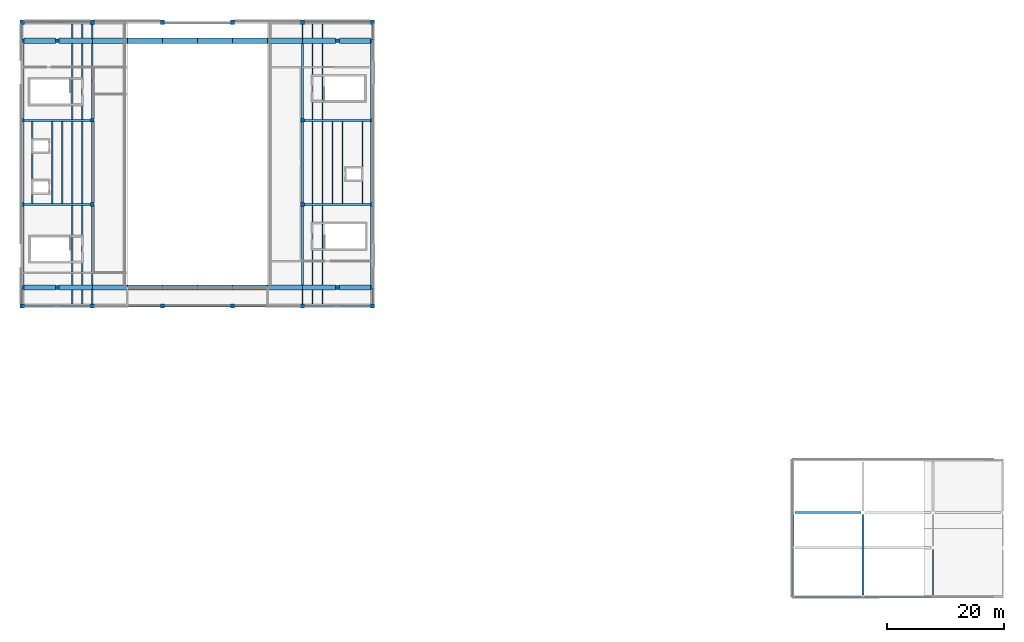
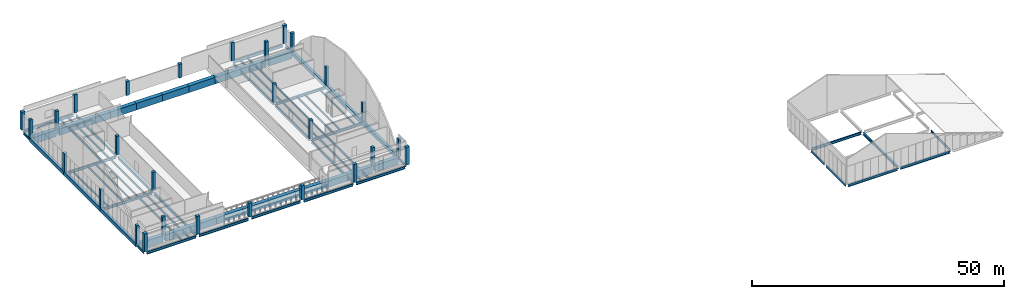
# One storey, part 1 of 7: 76 beams, 28 columns.
"""IFC4 building model written with IfcOpenShell, lengths in metres."""

from ifc_helpers import new_model, si_unit, direction, frame, origin, origin_2d, place, context, subcontext, project, spatial, rectangle, i_section, extrude, material, material_profile, profile_set, type_object, element, save


model = new_model("IFC4")

# Units and contexts
model_context = context("Model", 3, precision=1e-05, world=origin(), true_north=direction((0.0, 1.0)))
body_context = subcontext(model_context, "Body", "Model", "MODEL_VIEW")
ifc_project = project(units=[si_unit("LENGTHUNIT", "METRE"), si_unit("AREAUNIT", "SQUARE_METRE"), si_unit("VOLUMEUNIT", "CUBIC_METRE"), si_unit("PLANEANGLEUNIT", "RADIAN"), si_unit("MASSUNIT", "GRAM", prefix="KILO")], contexts=[model_context])

# Site, building, storey
site_placement = place(None, origin())
site = spatial("IfcSite", under=ifc_project, at=site_placement, CompositionType="ELEMENT")
building_placement = place(site_placement, origin())
building = spatial("IfcBuilding", under=site, at=building_placement, Name="Kelmvaro Bay Concert Hall", CompositionType="ELEMENT")
storey_placement = place(building_placement, frame((0.0, 0.0, 22.199951171875)))
storey = spatial("IfcBuildingStorey", under=building, at=storey_placement, Name="L05", CompositionType="ELEMENT", Elevation=22.199951171875)

# Columns
ifc_material_1 = material(Name="Concrete C40/50", Category="concrete")
ifc_material_profile_1 = material_profile(ifc_material_1, rectangle(XDim=0.75, YDim=0.75, at=origin_2d()), Name="RC-COL-750X750")
ifc_profile_set_1 = profile_set([ifc_material_profile_1], Name="Concrete C40/50")
column_type_1 = type_object("IfcColumnType", Name="Pavilion Column RC750x750", PredefinedType="COLUMN", material=ifc_profile_set_1)
for number, where, z_axis, x_axis, name in (
    (1, (0.0, 65.39990234375, 0.0), (0.0, 0.0, 1.0), (1.0, 0.0, 0.0), "L05 Column V1P-0-654"),
    (2, (0.0, 114.0, 0.0), (0.0, 0.0, 1.0), (1.0, 0.0, 0.0), "L05 Column V1P-0-1140"),
    (3, (60.0, 65.39990234375, 0.0), (0.0, 0.0, 1.0), (1.0, 0.0, 0.0), "L05 Column V1P-60-654"),
    (4, (60.0, 114.0, 0.0), (0.0, 0.0, 1.0), (1.0, 0.0, 0.0), "L05 Column V1P-60-1140"),
):
    element("IfcColumn", number, at=place(storey_placement, frame(where, z_axis=z_axis, x_axis=x_axis)), inside=storey, type_object=column_type_1, Name=name, PredefinedType="COLUMN", context=body_context, shape_type="SweptSolid", body=[
        extrude(rectangle(XDim=0.75, YDim=0.75, at=origin_2d()), origin(), (0.0, 0.0, 1.0), 4.3701171875),
    ])
ifc_material_2 = material(Name="Concrete C40/50", Category="concrete")
ifc_material_profile_2 = material_profile(ifc_material_2, rectangle(XDim=0.699951171875, YDim=0.699951171875, at=origin_2d()), Name="RC-COL-700X700")
ifc_profile_set_2 = profile_set([ifc_material_profile_2], Name="Concrete C40/50")
column_type_2 = type_object("IfcColumnType", Name="Pavilion Mid Column RC700x700", PredefinedType="COLUMN", material=ifc_profile_set_2)
for number, where, z_axis, x_axis, name in (
    (5, (12.0, 65.39990234375, 0.0), (0.0, 0.0, 1.0), (1.0, 0.0, 0.0), "L05 Column V1P-12-654"),
    (6, (12.0, 114.0, 0.0), (0.0, 0.0, 1.0), (1.0, 0.0, 0.0), "L05 Column V1P-12-1140"),
):
    element("IfcColumn", number, at=place(storey_placement, frame(where, z_axis=z_axis, x_axis=x_axis)), inside=storey, type_object=column_type_2, Name=name, PredefinedType="COLUMN", context=body_context, shape_type="SweptSolid", body=[
        extrude(rectangle(XDim=0.699951171875, YDim=0.699951171875, at=origin_2d()), origin(), (0.0, 0.0, 1.0), 4.3701171875),
    ])
for number, where, z_axis, x_axis, name in (
    (7, (24.0, 65.39990234375, 0.0), (0.0, 0.0, 1.0), (1.0, 0.0, 0.0), "L05 Column V1P-24-654"),
    (8, (24.0, 114.0, 0.0), (0.0, 0.0, 1.0), (1.0, 0.0, 0.0), "L05 Column V1P-24-1140"),
    (9, (36.0, 65.39990234375, 0.0), (0.0, 0.0, 1.0), (1.0, 0.0, 0.0), "L05 Column V1P-36-654"),
    (10, (36.0, 114.0, 0.0), (0.0, 0.0, 1.0), (1.0, 0.0, 0.0), "L05 Column V1P-36-1140"),
):
    element("IfcColumn", number, at=place(storey_placement, frame(where, z_axis=z_axis, x_axis=x_axis)), inside=storey, type_object=column_type_2, Name=name, PredefinedType="COLUMN", context=body_context, shape_type="SweptSolid", body=[
        extrude(rectangle(XDim=0.699951171875, YDim=0.699951171875, at=origin_2d()), origin(), (0.0, 0.0, 1.0), 3.3701171875),
    ])
for number, where, z_axis, x_axis, name in (
    (11, (48.0, 65.39990234375, 0.0), (0.0, 0.0, 1.0), (1.0, 0.0, 0.0), "L05 Column V1P-48-654"),
    (12, (48.0, 114.0, 0.0), (0.0, 0.0, 1.0), (1.0, 0.0, 0.0), "L05 Column V1P-48-1140"),
):
    element("IfcColumn", number, at=place(storey_placement, frame(where, z_axis=z_axis, x_axis=x_axis)), inside=storey, type_object=column_type_2, Name=name, PredefinedType="COLUMN", context=body_context, shape_type="SweptSolid", body=[
        extrude(rectangle(XDim=0.699951171875, YDim=0.699951171875, at=origin_2d()), origin(), (0.0, 0.0, 1.0), 4.3701171875),
    ])
ifc_material_3 = material(Name="Concrete C40/50", Category="concrete")
ifc_material_profile_3 = material_profile(ifc_material_3, rectangle(XDim=0.64990234375, YDim=0.64990234375, at=origin_2d()), Name="RC-COL-650X650")
ifc_profile_set_3 = profile_set([ifc_material_profile_3], Name="Concrete C40/50")
column_type_3 = type_object("IfcColumnType", Name="Upper Column RC650x650", PredefinedType="COLUMN", material=ifc_profile_set_3)
for number, where, z_axis, x_axis, name in (
    (13, (0.0, 68.580078125, 0.0), (0.0, 0.0, 1.0), (1.0, 0.0, 0.0), "L05 Column V1S-0-6858"),
    (14, (0.0, 110.820068359375, 0.0), (0.0, 0.0, 1.0), (1.0, 0.0, 0.0), "L05 Column V1S-0-11082"),
    (15, (6.0, 68.580078125, 0.0), (0.0, 0.0, 1.0), (1.0, 0.0, 0.0), "L05 Column V1S-6-6858"),
    (16, (6.0, 110.820068359375, 0.0), (0.0, 0.0, 1.0), (1.0, 0.0, 0.0), "L05 Column V1S-6-11082"),
    (17, (54.0, 68.580078125, 0.0), (0.0, 0.0, 1.0), (1.0, 0.0, 0.0), "L05 Column V1S-54-6858"),
    (18, (54.0, 110.820068359375, 0.0), (0.0, 0.0, 1.0), (1.0, 0.0, 0.0), "L05 Column V1S-54-11082"),
    (19, (60.0, 68.580078125, 0.0), (0.0, 0.0, 1.0), (1.0, 0.0, 0.0), "L05 Column V1S-60-6858"),
    (20, (60.0, 110.820068359375, 0.0), (0.0, 0.0, 1.0), (1.0, 0.0, 0.0), "L05 Column V1S-60-11082"),
):
    element("IfcColumn", number, at=place(storey_placement, frame(where, z_axis=z_axis, x_axis=x_axis)), inside=storey, type_object=column_type_3, Name=name, PredefinedType="COLUMN", context=body_context, shape_type="SweptSolid", body=[
        extrude(rectangle(XDim=0.64990234375, YDim=0.64990234375, at=origin_2d()), origin(), (0.0, 0.0, 1.0), 4.3701171875),
    ])
for number, where, z_axis, x_axis, name in (
    (21, (0.0, 82.800048828125, 0.0), (0.0, 0.0, 1.0), (1.0, 0.0, 0.0), "L05 Column V1G-0-828"),
    (22, (0.0, 97.199951171875, 0.0), (0.0, 0.0, 1.0), (1.0, 0.0, 0.0), "L05 Column V1G-0-972"),
    (23, (12.0, 82.800048828125, 0.0), (0.0, 0.0, 1.0), (1.0, 0.0, 0.0), "L05 Column V1G-12-828"),
    (24, (12.0, 97.199951171875, 0.0), (0.0, 0.0, 1.0), (1.0, 0.0, 0.0), "L05 Column V1G-12-972"),
    (25, (48.0, 82.800048828125, 0.0), (0.0, 0.0, 1.0), (1.0, 0.0, 0.0), "L05 Column V1G-48-828"),
    (26, (48.0, 97.199951171875, 0.0), (0.0, 0.0, 1.0), (1.0, 0.0, 0.0), "L05 Column V1G-48-972"),
    (27, (60.0, 82.800048828125, 0.0), (0.0, 0.0, 1.0), (1.0, 0.0, 0.0), "L05 Column V1G-60-828"),
    (28, (60.0, 97.199951171875, 0.0), (0.0, 0.0, 1.0), (1.0, 0.0, 0.0), "L05 Column V1G-60-972"),
):
    element("IfcColumn", number, at=place(storey_placement, frame(where, z_axis=z_axis, x_axis=x_axis)), inside=storey, type_object=column_type_3, Name=name, PredefinedType="COLUMN", context=body_context, shape_type="SweptSolid", body=[
        extrude(rectangle(XDim=0.64990234375, YDim=0.64990234375, at=origin_2d()), origin(), (0.0, 0.0, 1.0), 4.5),
    ])

# Beams
ifc_material_4 = material(Name="Steel ASTM A992 Grade 50", Category="steel")
ifc_material_profile_4 = material_profile(ifc_material_4, i_section(OverallWidth=0.19189453125, OverallDepth=0.4619140625, WebThickness=0.010498046875, FlangeThickness=0.017578125, at=origin_2d()), Name="W18X60")
ifc_profile_set_4 = profile_set([ifc_material_profile_4], Name="Steel ASTM A992 Grade 50")
beam_type_1 = type_object("IfcBeamType", Name="Acoustic Box Floor Joist W18x60", PredefinedType="JOIST", material=ifc_profile_set_4)
for number, where, z_axis, x_axis, name in (
    (29, (1.71435546875, 82.9619140625, -0.571044921875), (0.0, 1.0, 0.0), (-1.0, 0.0, 0.0), "L05 Floor Joist JST-L05-1955"),
    (30, (5.142822265625, 82.9619140625, -0.571044921875), (0.0, 1.0, 0.0), (-1.0, 0.0, 0.0), "L05 Floor Joist JST-L05-1956"),
    (31, (6.857177734375, 82.9619140625, -0.571044921875), (0.0, 1.0, 0.0), (-1.0, 0.0, 0.0), "L05 Floor Joist JST-L05-1957"),
    (32, (8.5712890625, 82.9619140625, -0.571044921875), (0.0, 1.0, 0.0), (-1.0, 0.0, 0.0), "L05 Floor Joist JST-L05-1958"),
    (33, (10.28564453125, 82.9619140625, -0.571044921875), (0.0, 1.0, 0.0), (-1.0, 0.0, 0.0), "L05 Floor Joist JST-L05-1959"),
    (34, (49.71435546875, 82.9619140625, -0.571044921875), (0.0, 1.0, 0.0), (-1.0, 0.0, 0.0), "L05 Floor Joist JST-L05-1960"),
    (35, (51.4287109375, 82.9619140625, -0.571044921875), (0.0, 1.0, 0.0), (-1.0, 0.0, 0.0), "L05 Floor Joist JST-L05-1961"),
    (36, (53.142822265625, 82.9619140625, -0.571044921875), (0.0, 1.0, 0.0), (-1.0, 0.0, 0.0), "L05 Floor Joist JST-L05-1962"),
    (37, (54.857177734375, 82.9619140625, -0.571044921875), (0.0, 1.0, 0.0), (-1.0, 0.0, 0.0), "L05 Floor Joist JST-L05-1963"),
    (38, (58.28564453125, 82.9619140625, -0.571044921875), (0.0, 1.0, 0.0), (-1.0, 0.0, 0.0), "L05 Floor Joist JST-L05-1964"),
):
    element("IfcBeam", number, at=place(storey_placement, frame(where, z_axis=z_axis, x_axis=x_axis)), inside=storey, type_object=beam_type_1, Name=name, PredefinedType="JOIST", context=body_context, shape_type="SweptSolid", body=[
        extrude(i_section(OverallWidth=0.19189453125, OverallDepth=0.4619140625, WebThickness=0.010498046875, FlangeThickness=0.017578125, at=origin_2d()), origin(), (0.0, 0.0, 1.0), 14.076171875),
    ])
ifc_material_5 = material(Name="Steel ASTM A992 Grade 50", Category="steel")
ifc_material_profile_5 = material_profile(ifc_material_5, i_section(OverallWidth=0.323974609375, OverallDepth=0.611083984375, WebThickness=0.0126953125, FlangeThickness=0.01904296875, at=origin_2d()), Name="W24X104")
ifc_profile_set_5 = profile_set([ifc_material_profile_5], Name="Steel ASTM A992 Grade 50")
beam_type_2 = type_object("IfcBeamType", Name="Foyer Frame Girder W24x104", PredefinedType="BEAM", material=ifc_profile_set_5)
for number, where, z_axis, x_axis, name in (
    (39, (132.324951171875, 15.60009765625, -0.305419921875), (1.0, 0.0, 0.0), (0.0, 1.0, 0.0), "L05 Girder BM-L05-EW-1905"),
    (40, (144.324951171875, 15.60009765625, -0.305419921875), (1.0, 0.0, 0.0), (0.0, 1.0, 0.0), "L05 Girder BM-L05-EW-1906"),
    (41, (132.324951171875, 30.0, -0.305419921875), (1.0, 0.0, 0.0), (0.0, 1.0, 0.0), "L05 Girder BM-L05-EW-1909"),
):
    element("IfcBeam", number, at=place(storey_placement, frame(where, z_axis=z_axis, x_axis=x_axis)), inside=storey, type_object=beam_type_2, Name=name, PredefinedType="BEAM", context=body_context, shape_type="SweptSolid", body=[
        extrude(i_section(OverallWidth=0.323974609375, OverallDepth=0.611083984375, WebThickness=0.0126953125, FlangeThickness=0.01904296875, at=origin_2d()), origin(), (0.0, 0.0, 1.0), 11.35009765625),
    ])
beam_1_placement = place(storey_placement, frame((0.375, 65.39990234375, -0.6455078125), z_axis=(1.0, 0.0, 0.0), x_axis=(0.0, 1.0, 0.0)))
element("IfcBeam", 42, at=beam_1_placement, inside=storey, type_object=beam_type_2, Name="L05 Girder BM-L05-EW-1915", PredefinedType="BEAM", context=body_context, shape_type="SweptSolid", body=[
    extrude(i_section(OverallWidth=0.323974609375, OverallDepth=0.611083984375, WebThickness=0.0126953125, FlangeThickness=0.01904296875, at=origin_2d()), origin(), (0.0, 0.0, 1.0), 11.27490234375),
])
for number, where, z_axis, x_axis, name in (
    (43, (12.35009765625, 65.39990234375, -0.6455078125), (1.0, 0.0, 0.0), (0.0, 1.0, 0.0), "L05 Girder BM-L05-EW-1916"),
    (44, (24.35009765625, 65.39990234375, -0.54541015625), (1.0, 0.0, 0.0), (0.0, 1.0, 0.0), "L05 Girder BM-L05-EW-1917"),
    (45, (36.35009765625, 65.39990234375, -0.6455078125), (1.0, 0.0, 0.0), (0.0, 1.0, 0.0), "L05 Girder BM-L05-EW-1918"),
):
    element("IfcBeam", number, at=place(storey_placement, frame(where, z_axis=z_axis, x_axis=x_axis)), inside=storey, type_object=beam_type_2, Name=name, PredefinedType="BEAM", context=body_context, shape_type="SweptSolid", body=[
        extrude(i_section(OverallWidth=0.323974609375, OverallDepth=0.611083984375, WebThickness=0.0126953125, FlangeThickness=0.01904296875, at=origin_2d()), origin(), (0.0, 0.0, 1.0), 11.2998046875),
    ])
beam_2_placement = place(storey_placement, frame((48.35009765625, 65.39990234375, -0.6455078125), z_axis=(1.0, 0.0, 0.0), x_axis=(0.0, 1.0, 0.0)))
element("IfcBeam", 46, at=beam_2_placement, inside=storey, type_object=beam_type_2, Name="L05 Girder BM-L05-EW-1919", PredefinedType="BEAM", context=body_context, shape_type="SweptSolid", body=[
    extrude(i_section(OverallWidth=0.323974609375, OverallDepth=0.611083984375, WebThickness=0.0126953125, FlangeThickness=0.01904296875, at=origin_2d()), origin(), (0.0, 0.0, 1.0), 11.27490234375),
])
for number, where, z_axis, x_axis, name in (
    (47, (0.324951171875, 82.800048828125, -0.6455078125), (1.0, 0.0, 0.0), (0.0, 1.0, 0.0), "L05 Girder BM-L05-EW-1920"),
    (48, (48.324951171875, 82.800048828125, -0.6455078125), (1.0, 0.0, 0.0), (0.0, 1.0, 0.0), "L05 Girder BM-L05-EW-1921"),
    (49, (0.324951171875, 97.199951171875, -0.6455078125), (1.0, 0.0, 0.0), (0.0, 1.0, 0.0), "L05 Girder BM-L05-EW-1922"),
    (50, (48.324951171875, 97.199951171875, -0.6455078125), (1.0, 0.0, 0.0), (0.0, 1.0, 0.0), "L05 Girder BM-L05-EW-1923"),
):
    element("IfcBeam", number, at=place(storey_placement, frame(where, z_axis=z_axis, x_axis=x_axis)), inside=storey, type_object=beam_type_2, Name=name, PredefinedType="BEAM", context=body_context, shape_type="SweptSolid", body=[
        extrude(i_section(OverallWidth=0.323974609375, OverallDepth=0.611083984375, WebThickness=0.0126953125, FlangeThickness=0.01904296875, at=origin_2d()), origin(), (0.0, 0.0, 1.0), 11.35009765625),
    ])
for number, where, z_axis, x_axis, name in (
    (51, (0.375, 114.0, -0.6455078125), (1.0, 0.0, 0.0), (0.0, 1.0, 0.0), "L05 Girder BM-L05-EW-1924"),
    (52, (48.35009765625, 114.0, -0.6455078125), (1.0, 0.0, 0.0), (0.0, 1.0, 0.0), "L05 Girder BM-L05-EW-1925"),
):
    element("IfcBeam", number, at=place(storey_placement, frame(where, z_axis=z_axis, x_axis=x_axis)), inside=storey, type_object=beam_type_2, Name=name, PredefinedType="BEAM", context=body_context, shape_type="SweptSolid", body=[
        extrude(i_section(OverallWidth=0.323974609375, OverallDepth=0.611083984375, WebThickness=0.0126953125, FlangeThickness=0.01904296875, at=origin_2d()), origin(), (0.0, 0.0, 1.0), 11.27490234375),
    ])
beam_3_placement = place(storey_placement, frame((12.0, 68.85498046875, -0.6455078125), z_axis=(0.0, 1.0, 0.0), x_axis=(-1.0, 0.0, 0.0)))
element("IfcBeam", 53, at=beam_3_placement, inside=storey, type_object=beam_type_2, Name="L05 Girder BM-L05-NS-1929", PredefinedType="BEAM", context=body_context, shape_type="SweptSolid", body=[
    extrude(i_section(OverallWidth=0.323974609375, OverallDepth=0.611083984375, WebThickness=0.0126953125, FlangeThickness=0.01904296875, at=origin_2d()), origin(), (0.0, 0.0, 1.0), 13.6201171875),
])
beam_4_placement = place(storey_placement, frame((12.0, 83.125, -0.6455078125), z_axis=(0.0, 1.0, 0.0), x_axis=(-1.0, 0.0, 0.0)))
element("IfcBeam", 54, at=beam_4_placement, inside=storey, type_object=beam_type_2, Name="L05 Girder BM-L05-NS-1930", PredefinedType="BEAM", context=body_context, shape_type="SweptSolid", body=[
    extrude(i_section(OverallWidth=0.323974609375, OverallDepth=0.611083984375, WebThickness=0.0126953125, FlangeThickness=0.01904296875, at=origin_2d()), origin(), (0.0, 0.0, 1.0), 13.75),
])
beam_5_placement = place(storey_placement, frame((12.0, 97.52490234375, -0.6455078125), z_axis=(0.0, 1.0, 0.0), x_axis=(-1.0, 0.0, 0.0)))
element("IfcBeam", 55, at=beam_5_placement, inside=storey, type_object=beam_type_2, Name="L05 Girder BM-L05-NS-1931", PredefinedType="BEAM", context=body_context, shape_type="SweptSolid", body=[
    extrude(i_section(OverallWidth=0.323974609375, OverallDepth=0.611083984375, WebThickness=0.0126953125, FlangeThickness=0.01904296875, at=origin_2d()), origin(), (0.0, 0.0, 1.0), 13.02001953125),
])
beam_6_placement = place(storey_placement, frame((48.0, 68.830078125, -0.6455078125), z_axis=(0.0, 1.0, 0.0), x_axis=(-1.0, 0.0, 0.0)))
element("IfcBeam", 56, at=beam_6_placement, inside=storey, type_object=beam_type_2, Name="L05 Girder BM-L05-NS-1934", PredefinedType="BEAM", context=body_context, shape_type="SweptSolid", body=[
    extrude(i_section(OverallWidth=0.323974609375, OverallDepth=0.611083984375, WebThickness=0.0126953125, FlangeThickness=0.01904296875, at=origin_2d()), origin(), (0.0, 0.0, 1.0), 13.64501953125),
])
beam_7_placement = place(storey_placement, frame((48.0, 83.125, -0.6455078125), z_axis=(0.0, 1.0, 0.0), x_axis=(-1.0, 0.0, 0.0)))
element("IfcBeam", 57, at=beam_7_placement, inside=storey, type_object=beam_type_2, Name="L05 Girder BM-L05-NS-1935", PredefinedType="BEAM", context=body_context, shape_type="SweptSolid", body=[
    extrude(i_section(OverallWidth=0.323974609375, OverallDepth=0.611083984375, WebThickness=0.0126953125, FlangeThickness=0.01904296875, at=origin_2d()), origin(), (0.0, 0.0, 1.0), 13.75),
])
beam_8_placement = place(storey_placement, frame((48.0, 97.52490234375, -0.6455078125), z_axis=(0.0, 1.0, 0.0), x_axis=(-1.0, 0.0, 0.0)))
element("IfcBeam", 58, at=beam_8_placement, inside=storey, type_object=beam_type_2, Name="L05 Girder BM-L05-NS-1936", PredefinedType="BEAM", context=body_context, shape_type="SweptSolid", body=[
    extrude(i_section(OverallWidth=0.323974609375, OverallDepth=0.611083984375, WebThickness=0.0126953125, FlangeThickness=0.01904296875, at=origin_2d()), origin(), (0.0, 0.0, 1.0), 13.045166015625),
])
beam_9_placement = place(storey_placement, frame((144.0, 15.925048828125, -0.305419921875), z_axis=(0.0, 1.0, 0.0), x_axis=(-1.0, 0.0, 0.0)))
element("IfcBeam", 59, at=beam_9_placement, inside=storey, type_object=beam_type_2, Name="L05 Girder BM-L05-NS-1943", PredefinedType="BEAM", context=body_context, shape_type="SweptSolid", body=[
    extrude(i_section(OverallWidth=0.323974609375, OverallDepth=0.611083984375, WebThickness=0.0126953125, FlangeThickness=0.01904296875, at=origin_2d()), origin(), (0.0, 0.0, 1.0), 13.75),
])
ifc_material_6 = material(Name="Concrete C40/50", Category="concrete")
ifc_material_profile_6 = material_profile(ifc_material_6, rectangle(XDim=0.60009765625, YDim=0.949951171875, at=origin_2d()), Name="RC-BM-600X950")
ifc_profile_set_6 = profile_set([ifc_material_profile_6], Name="Concrete C40/50")
beam_type_3 = type_object("IfcBeamType", Name="Hall Primary Girder RC600x950", PredefinedType="BEAM", material=ifc_profile_set_6)
beam_10_placement = place(storey_placement, frame((0.0, 68.580078125, -0.474853515625), z_axis=(0.0, 1.0, 0.0), x_axis=(-1.0, 0.0, 0.0)))
element("IfcBeam", 60, at=beam_10_placement, inside=storey, type_object=beam_type_3, Name="Shell Gable Tie Beam W-END1", PredefinedType="BEAM", context=body_context, shape_type="SweptSolid", body=[
    extrude(rectangle(XDim=0.60009765625, YDim=0.949951171875, at=origin_2d()), origin(), (0.0, 0.0, 1.0), 14.219970703125),
])
beam_11_placement = place(storey_placement, frame((0.0, 82.800048828125, -0.474853515625), z_axis=(0.0, 1.0, 0.0), x_axis=(-1.0, 0.0, 0.0)))
element("IfcBeam", 61, at=beam_11_placement, inside=storey, type_object=beam_type_3, Name="Shell Gable Tie Beam W-END2", PredefinedType="BEAM", context=body_context, shape_type="SweptSolid", body=[
    extrude(rectangle(XDim=0.60009765625, YDim=0.949951171875, at=origin_2d()), origin(), (0.0, 0.0, 1.0), 14.39990234375),
])
beam_12_placement = place(storey_placement, frame((0.0, 97.199951171875, -0.474853515625), z_axis=(0.0, 1.0, 0.0), x_axis=(-1.0, 0.0, 0.0)))
element("IfcBeam", 62, at=beam_12_placement, inside=storey, type_object=beam_type_3, Name="Shell Gable Tie Beam W-END3", PredefinedType="BEAM", context=body_context, shape_type="SweptSolid", body=[
    extrude(rectangle(XDim=0.60009765625, YDim=0.949951171875, at=origin_2d()), origin(), (0.0, 0.0, 1.0), 13.6201171875),
])
beam_13_placement = place(storey_placement, frame((60.0, 68.580078125, -0.474853515625), z_axis=(0.0, 1.0, 0.0), x_axis=(-1.0, 0.0, 0.0)))
element("IfcBeam", 63, at=beam_13_placement, inside=storey, type_object=beam_type_3, Name="Shell Gable Tie Beam E-END1", PredefinedType="BEAM", context=body_context, shape_type="SweptSolid", body=[
    extrude(rectangle(XDim=0.60009765625, YDim=0.949951171875, at=origin_2d()), origin(), (0.0, 0.0, 1.0), 14.219970703125),
])
beam_14_placement = place(storey_placement, frame((60.0, 82.800048828125, -0.474853515625), z_axis=(0.0, 1.0, 0.0), x_axis=(-1.0, 0.0, 0.0)))
element("IfcBeam", 64, at=beam_14_placement, inside=storey, type_object=beam_type_3, Name="Shell Gable Tie Beam E-END2", PredefinedType="BEAM", context=body_context, shape_type="SweptSolid", body=[
    extrude(rectangle(XDim=0.60009765625, YDim=0.949951171875, at=origin_2d()), origin(), (0.0, 0.0, 1.0), 14.39990234375),
])
beam_15_placement = place(storey_placement, frame((60.0, 97.199951171875, -0.474853515625), z_axis=(0.0, 1.0, 0.0), x_axis=(-1.0, 0.0, 0.0)))
element("IfcBeam", 65, at=beam_15_placement, inside=storey, type_object=beam_type_3, Name="Shell Gable Tie Beam E-END3", PredefinedType="BEAM", context=body_context, shape_type="SweptSolid", body=[
    extrude(rectangle(XDim=0.60009765625, YDim=0.949951171875, at=origin_2d()), origin(), (0.0, 0.0, 1.0), 13.6201171875),
])
ifc_material_7 = material(Name="Steel ASTM A992 Grade 50", Category="steel")
ifc_material_profile_7 = material_profile(ifc_material_7, i_section(OverallWidth=0.2119140625, OverallDepth=0.5439453125, WebThickness=0.01318359375, FlangeThickness=0.021240234375, at=origin_2d()), Name="W21X83")
ifc_profile_set_7 = profile_set([ifc_material_profile_7], Name="Steel ASTM A992 Grade 50")
beam_type_4 = type_object("IfcBeamType", Name="Long Span Assembly Joist W21x83", PredefinedType="JOIST", material=ifc_profile_set_7)
for number, where, z_axis, x_axis, name in (
    (66, (8.5712890625, 65.56201171875, -0.612060546875), (0.0, 1.0, 0.0), (-1.0, 0.0, 0.0), "L05 Floor Joist JST-L05-1951"),
    (67, (10.28564453125, 65.56201171875, -0.612060546875), (0.0, 1.0, 0.0), (-1.0, 0.0, 0.0), "L05 Floor Joist JST-L05-1952"),
    (68, (49.71435546875, 65.56201171875, -0.612060546875), (0.0, 1.0, 0.0), (-1.0, 0.0, 0.0), "L05 Floor Joist JST-L05-1953"),
    (69, (51.4287109375, 65.56201171875, -0.612060546875), (0.0, 1.0, 0.0), (-1.0, 0.0, 0.0), "L05 Floor Joist JST-L05-1954"),
):
    element("IfcBeam", number, at=place(storey_placement, frame(where, z_axis=z_axis, x_axis=x_axis)), inside=storey, type_object=beam_type_4, Name=name, PredefinedType="JOIST", context=body_context, shape_type="SweptSolid", body=[
        extrude(i_section(OverallWidth=0.2119140625, OverallDepth=0.5439453125, WebThickness=0.01318359375, FlangeThickness=0.021240234375, at=origin_2d()), origin(), (0.0, 0.0, 1.0), 17.075927734375),
    ])
for number, where, z_axis, x_axis, name in (
    (70, (8.5712890625, 97.362060546875, -0.612060546875), (0.0, 1.0, 0.0), (-1.0, 0.0, 0.0), "L05 Floor Joist JST-L05-1965"),
    (71, (10.28564453125, 97.362060546875, -0.612060546875), (0.0, 1.0, 0.0), (-1.0, 0.0, 0.0), "L05 Floor Joist JST-L05-1966"),
    (72, (49.71435546875, 97.362060546875, -0.612060546875), (0.0, 1.0, 0.0), (-1.0, 0.0, 0.0), "L05 Floor Joist JST-L05-1967"),
    (73, (51.4287109375, 97.362060546875, -0.612060546875), (0.0, 1.0, 0.0), (-1.0, 0.0, 0.0), "L05 Floor Joist JST-L05-1968"),
):
    element("IfcBeam", number, at=place(storey_placement, frame(where, z_axis=z_axis, x_axis=x_axis)), inside=storey, type_object=beam_type_4, Name=name, PredefinedType="JOIST", context=body_context, shape_type="SweptSolid", body=[
        extrude(i_section(OverallWidth=0.2119140625, OverallDepth=0.5439453125, WebThickness=0.01318359375, FlangeThickness=0.021240234375, at=origin_2d()), origin(), (0.0, 0.0, 1.0), 16.475830078125),
    ])
ifc_material_8 = material(Name="Concrete C40/50", Category="concrete")
ifc_material_profile_8 = material_profile(ifc_material_8, rectangle(XDim=0.89990234375, YDim=1.60009765625, at=origin_2d()), Name="RC-SHB-900X1600")
ifc_profile_set_8 = profile_set([ifc_material_profile_8], Name="Concrete C40/50")
beam_type_5 = type_object("IfcBeamType", Name="Shell Edge Ring Beam RC900x1600", PredefinedType="BEAM", material=ifc_profile_set_8)
for number, where, z_axis, x_axis, name in (
    (74, (0.324951171875, 68.580078125, -0.800048828125), (1.0, 0.0, 0.0), (0.0, 1.0, 0.0), "Shell Edge Ring Beam S-01"),
    (75, (0.324951171875, 110.820068359375, -0.800048828125), (1.0, 0.0, 0.0), (0.0, 1.0, 0.0), "Shell Edge Ring Beam N-01"),
):
    element("IfcBeam", number, at=place(storey_placement, frame(where, z_axis=z_axis, x_axis=x_axis)), inside=storey, type_object=beam_type_5, Name=name, PredefinedType="BEAM", context=body_context, shape_type="SweptSolid", body=[
        extrude(rectangle(XDim=0.89990234375, YDim=1.60009765625, at=origin_2d()), origin(), (0.0, 0.0, 1.0), 5.35009765625),
    ])
for number, where, z_axis, x_axis, name in (
    (76, (6.324951171875, 68.580078125, -0.800048828125), (1.0, 0.0, 0.0), (0.0, 1.0, 0.0), "Shell Edge Ring Beam S-02"),
    (77, (6.324951171875, 110.820068359375, -0.800048828125), (1.0, 0.0, 0.0), (0.0, 1.0, 0.0), "Shell Edge Ring Beam N-02"),
):
    element("IfcBeam", number, at=place(storey_placement, frame(where, z_axis=z_axis, x_axis=x_axis)), inside=storey, type_object=beam_type_5, Name=name, PredefinedType="BEAM", context=body_context, shape_type="SweptSolid", body=[
        extrude(rectangle(XDim=0.89990234375, YDim=1.60009765625, at=origin_2d()), origin(), (0.0, 0.0, 1.0), 5.675048828125),
    ])
for number, where, z_axis, x_axis, name in (
    (78, (12.0, 68.580078125, -0.800048828125), (1.0, 0.0, 0.0), (0.0, 1.0, 0.0), "Shell Edge Ring Beam S-03"),
    (79, (12.0, 110.820068359375, -0.800048828125), (1.0, 0.0, 0.0), (0.0, 1.0, 0.0), "Shell Edge Ring Beam N-03"),
    (80, (18.0, 68.580078125, -0.800048828125), (1.0, 0.0, 0.0), (0.0, 1.0, 0.0), "Shell Edge Ring Beam S-04"),
    (81, (18.0, 110.820068359375, -0.800048828125), (1.0, 0.0, 0.0), (0.0, 1.0, 0.0), "Shell Edge Ring Beam N-04"),
    (82, (24.0, 68.580078125, -0.800048828125), (1.0, 0.0, 0.0), (0.0, 1.0, 0.0), "Shell Edge Ring Beam S-05"),
    (83, (24.0, 110.820068359375, -0.800048828125), (1.0, 0.0, 0.0), (0.0, 1.0, 0.0), "Shell Edge Ring Beam N-05"),
    (84, (30.0, 68.580078125, -0.800048828125), (1.0, 0.0, 0.0), (0.0, 1.0, 0.0), "Shell Edge Ring Beam S-06"),
    (85, (30.0, 110.820068359375, -0.800048828125), (1.0, 0.0, 0.0), (0.0, 1.0, 0.0), "Shell Edge Ring Beam N-06"),
    (86, (36.0, 68.580078125, -0.800048828125), (1.0, 0.0, 0.0), (0.0, 1.0, 0.0), "Shell Edge Ring Beam S-07"),
    (87, (36.0, 110.820068359375, -0.800048828125), (1.0, 0.0, 0.0), (0.0, 1.0, 0.0), "Shell Edge Ring Beam N-07"),
    (88, (42.0, 68.580078125, -0.800048828125), (1.0, 0.0, 0.0), (0.0, 1.0, 0.0), "Shell Edge Ring Beam S-08"),
    (89, (42.0, 110.820068359375, -0.800048828125), (1.0, 0.0, 0.0), (0.0, 1.0, 0.0), "Shell Edge Ring Beam N-08"),
):
    element("IfcBeam", number, at=place(storey_placement, frame(where, z_axis=z_axis, x_axis=x_axis)), inside=storey, type_object=beam_type_5, Name=name, PredefinedType="BEAM", context=body_context, shape_type="SweptSolid", body=[
        extrude(rectangle(XDim=0.89990234375, YDim=1.60009765625, at=origin_2d()), origin(), (0.0, 0.0, 1.0), 6.0),
    ])
for number, where, z_axis, x_axis, name in (
    (90, (48.0, 68.580078125, -0.800048828125), (1.0, 0.0, 0.0), (0.0, 1.0, 0.0), "Shell Edge Ring Beam S-09"),
    (91, (48.0, 110.820068359375, -0.800048828125), (1.0, 0.0, 0.0), (0.0, 1.0, 0.0), "Shell Edge Ring Beam N-09"),
):
    element("IfcBeam", number, at=place(storey_placement, frame(where, z_axis=z_axis, x_axis=x_axis)), inside=storey, type_object=beam_type_5, Name=name, PredefinedType="BEAM", context=body_context, shape_type="SweptSolid", body=[
        extrude(rectangle(XDim=0.89990234375, YDim=1.60009765625, at=origin_2d()), origin(), (0.0, 0.0, 1.0), 5.675048828125),
    ])
for number, where, z_axis, x_axis, name in (
    (92, (54.324951171875, 68.580078125, -0.800048828125), (1.0, 0.0, 0.0), (0.0, 1.0, 0.0), "Shell Edge Ring Beam S-10"),
    (93, (54.324951171875, 110.820068359375, -0.800048828125), (1.0, 0.0, 0.0), (0.0, 1.0, 0.0), "Shell Edge Ring Beam N-10"),
):
    element("IfcBeam", number, at=place(storey_placement, frame(where, z_axis=z_axis, x_axis=x_axis)), inside=storey, type_object=beam_type_5, Name=name, PredefinedType="BEAM", context=body_context, shape_type="SweptSolid", body=[
        extrude(rectangle(XDim=0.89990234375, YDim=1.60009765625, at=origin_2d()), origin(), (0.0, 0.0, 1.0), 5.35009765625),
    ])
ifc_material_9 = material(Name="Steel ASTM A992 Grade 50", Category="steel")
ifc_material_profile_9 = material_profile(ifc_material_9, i_section(OverallWidth=0.22900390625, OverallDepth=0.612060546875, WebThickness=0.011962890625, FlangeThickness=0.01953125, at=origin_2d()), Name="W24X84")
ifc_profile_set_9 = profile_set([ifc_material_profile_9], Name="Steel ASTM A992 Grade 50")
beam_type_6 = type_object("IfcBeamType", Name="Terrace Edge Girder W24x84", PredefinedType="BEAM", material=ifc_profile_set_9)
for number, where, z_axis, x_axis, name in (
    (94, (0.0, 65.77490234375, -0.64599609375), (0.0, 1.0, 0.0), (-1.0, 0.0, 0.0), "L05 Girder BM-L05-NS-1926"),
    (95, (0.0, 111.14501953125, -0.64599609375), (0.0, 1.0, 0.0), (-1.0, 0.0, 0.0), "L05 Girder BM-L05-NS-1927"),
):
    element("IfcBeam", number, at=place(storey_placement, frame(where, z_axis=z_axis, x_axis=x_axis)), inside=storey, type_object=beam_type_6, Name=name, PredefinedType="BEAM", context=body_context, shape_type="SweptSolid", body=[
        extrude(i_section(OverallWidth=0.22900390625, OverallDepth=0.612060546875, WebThickness=0.011962890625, FlangeThickness=0.01953125, at=origin_2d()), origin(), (0.0, 0.0, 1.0), 2.47998046875),
    ])
for number, where, z_axis, x_axis, name in (
    (96, (12.0, 65.75, -0.64599609375), (0.0, 1.0, 0.0), (-1.0, 0.0, 0.0), "L05 Girder BM-L05-NS-1928"),
    (97, (12.0, 111.094970703125, -0.64599609375), (0.0, 1.0, 0.0), (-1.0, 0.0, 0.0), "L05 Girder BM-L05-NS-1932"),
):
    element("IfcBeam", number, at=place(storey_placement, frame(where, z_axis=z_axis, x_axis=x_axis)), inside=storey, type_object=beam_type_6, Name=name, PredefinedType="BEAM", context=body_context, shape_type="SweptSolid", body=[
        extrude(i_section(OverallWidth=0.22900390625, OverallDepth=0.612060546875, WebThickness=0.011962890625, FlangeThickness=0.01953125, at=origin_2d()), origin(), (0.0, 0.0, 1.0), 2.554931640625),
    ])
beam_16_placement = place(storey_placement, frame((48.0, 65.75, -0.64599609375), z_axis=(0.0, 1.0, 0.0), x_axis=(-1.0, 0.0, 0.0)))
element("IfcBeam", 98, at=beam_16_placement, inside=storey, type_object=beam_type_6, Name="L05 Girder BM-L05-NS-1933", PredefinedType="BEAM", context=body_context, shape_type="SweptSolid", body=[
    extrude(i_section(OverallWidth=0.22900390625, OverallDepth=0.612060546875, WebThickness=0.011962890625, FlangeThickness=0.01953125, at=origin_2d()), origin(), (0.0, 0.0, 1.0), 2.580078125),
])
beam_17_placement = place(storey_placement, frame((48.0, 111.070068359375, -0.64599609375), z_axis=(0.0, 1.0, 0.0), x_axis=(-1.0, 0.0, 0.0)))
element("IfcBeam", 99, at=beam_17_placement, inside=storey, type_object=beam_type_6, Name="L05 Girder BM-L05-NS-1937", PredefinedType="BEAM", context=body_context, shape_type="SweptSolid", body=[
    extrude(i_section(OverallWidth=0.22900390625, OverallDepth=0.612060546875, WebThickness=0.011962890625, FlangeThickness=0.01953125, at=origin_2d()), origin(), (0.0, 0.0, 1.0), 2.579833984375),
])
for number, where, z_axis, x_axis, name in (
    (100, (60.0, 65.77490234375, -0.64599609375), (0.0, 1.0, 0.0), (-1.0, 0.0, 0.0), "L05 Girder BM-L05-NS-1938"),
    (101, (60.0, 111.14501953125, -0.64599609375), (0.0, 1.0, 0.0), (-1.0, 0.0, 0.0), "L05 Girder BM-L05-NS-1939"),
):
    element("IfcBeam", number, at=place(storey_placement, frame(where, z_axis=z_axis, x_axis=x_axis)), inside=storey, type_object=beam_type_6, Name=name, PredefinedType="BEAM", context=body_context, shape_type="SweptSolid", body=[
        extrude(i_section(OverallWidth=0.22900390625, OverallDepth=0.612060546875, WebThickness=0.011962890625, FlangeThickness=0.01953125, at=origin_2d()), origin(), (0.0, 0.0, 1.0), 2.47998046875),
    ])
beam_18_placement = place(storey_placement, frame((132.0, 15.925048828125, -0.305908203125), z_axis=(0.0, 1.0, 0.0), x_axis=(-1.0, 0.0, 0.0)))
element("IfcBeam", 102, at=beam_18_placement, inside=storey, type_object=beam_type_6, Name="L05 Girder BM-L05-NS-1940", PredefinedType="BEAM", context=body_context, shape_type="SweptSolid", body=[
    extrude(i_section(OverallWidth=0.22900390625, OverallDepth=0.612060546875, WebThickness=0.011962890625, FlangeThickness=0.01953125, at=origin_2d()), origin(), (0.0, 0.0, 1.0), 7.75),
])
beam_19_placement = place(storey_placement, frame((132.0, 24.324951171875, -0.305908203125), z_axis=(0.0, 1.0, 0.0), x_axis=(-1.0, 0.0, 0.0)))
element("IfcBeam", 103, at=beam_19_placement, inside=storey, type_object=beam_type_6, Name="L05 Girder BM-L05-NS-1941", PredefinedType="BEAM", context=body_context, shape_type="SweptSolid", body=[
    extrude(i_section(OverallWidth=0.22900390625, OverallDepth=0.612060546875, WebThickness=0.011962890625, FlangeThickness=0.01953125, at=origin_2d()), origin(), (0.0, 0.0, 1.0), 5.35009765625),
])
beam_20_placement = place(storey_placement, frame((156.0, 15.925048828125, -0.305908203125), z_axis=(0.0, 1.0, 0.0), x_axis=(-1.0, 0.0, 0.0)))
element("IfcBeam", 104, at=beam_20_placement, inside=storey, type_object=beam_type_6, Name="L05 Girder BM-L05-NS-1945", PredefinedType="BEAM", context=body_context, shape_type="SweptSolid", body=[
    extrude(i_section(OverallWidth=0.22900390625, OverallDepth=0.612060546875, WebThickness=0.011962890625, FlangeThickness=0.01953125, at=origin_2d()), origin(), (0.0, 0.0, 1.0), 7.75),
])

save(model, "model.ifc")
